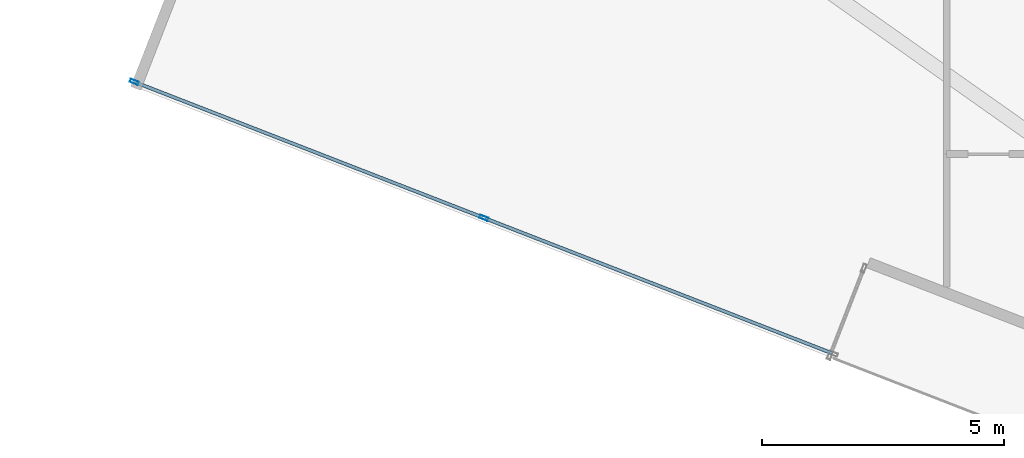
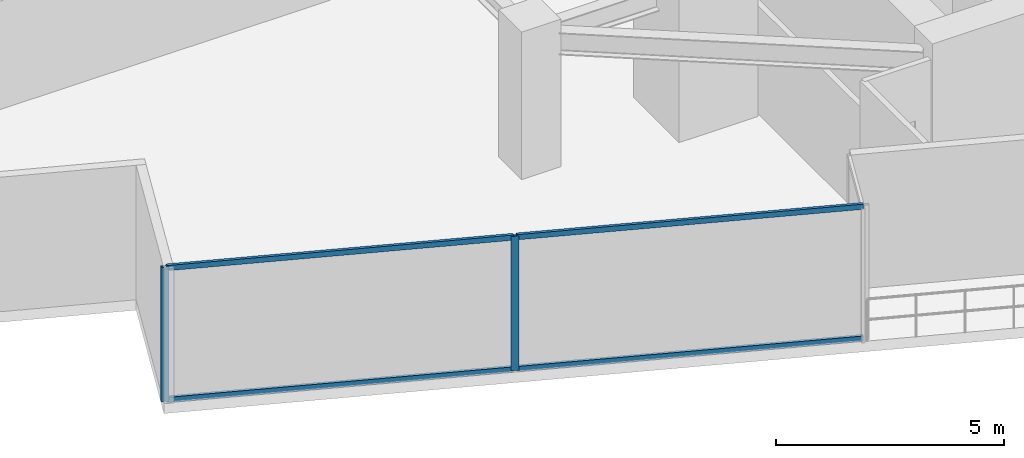
# One storey, part 2 of 26: 6 members, 1 element without a shape of its own.
"""IFC4 building model written with IfcOpenShell, lengths in metres."""

from ifc_helpers import new_model, si_unit, direction, frame, origin, origin_2d, place, context, subcontext, project, spatial, hollow_rectangle, extrude, source, transform, mapped, material, material_profile, profile_set, type_object, type_shapes, element, aggregate, save


model = new_model("IFC4")

# Units and contexts
model_context = context("Model", 3, precision=1e-05, world=origin(), true_north=direction((0.0, 1.0)))
body_context = subcontext(model_context, "Body", "Model", "MODEL_VIEW")
ifc_project = project(units=[si_unit("LENGTHUNIT", "METRE"), si_unit("AREAUNIT", "SQUARE_METRE"), si_unit("VOLUMEUNIT", "CUBIC_METRE"), si_unit("PLANEANGLEUNIT", "RADIAN"), si_unit("MASSUNIT", "GRAM", prefix="KILO")], contexts=[model_context])

# Site, building, storey
site_placement = place(None, origin())
site = spatial("IfcSite", under=ifc_project, at=site_placement, CompositionType="ELEMENT")
building_placement = place(site_placement, origin())
building = spatial("IfcBuilding", under=site, at=building_placement, Name="Krantzveldt Concourse Tower", CompositionType="ELEMENT")
storey_placement = place(building_placement, frame((0.0, 0.0, 137.449951171875)))
storey = spatial("IfcBuildingStorey", under=building, at=storey_placement, Name="L33", CompositionType="ELEMENT", Elevation=137.449951171875)

# Curtain wall, members
ifc_material = material(Name="Anodised aluminium 6063-T6", Category="aluminium")
curtain_wall_type = type_object("IfcCurtainWallType", Name="CW2", PredefinedType="USERDEFINED", material=ifc_material)
curtain_wall_placement = place(storey_placement, origin())
curtain_wall = element("IfcCurtainWall", 1, at=curtain_wall_placement, inside=storey, type_object=curtain_wall_type, Name="CW-L33-F04", ObjectType="UNITISED CURTAIN WALL", PredefinedType="USERDEFINED")
ifc_material_profile_1 = material_profile(ifc_material, hollow_rectangle(XDim=0.070068359375, YDim=0.139892578125, WallThickness=0.0048828125, at=origin_2d()), Name="Anodised aluminium 6063-T6", Category="aluminium")
ifc_profile_set_1 = profile_set([ifc_material_profile_1], Name="Anodised aluminium 6063-T6 - ALU-TRAN 140x70x5")
member_type_1 = type_object("IfcMemberType", Name="CW-TRN-150", PredefinedType="USERDEFINED", material=ifc_profile_set_1)
shared_shape_1 = source(origin(), body_context, "Body", "SweptSolid", [
    extrude(hollow_rectangle(XDim=0.070068359375, YDim=0.139892578125, WallThickness=0.0048828125, at=origin_2d()), origin(), (0.0, 0.0, 1.0), 7.69482421875),
])
member_1_placement = place(storey_placement, frame((16.77294921875, 9.16650390625, 0.03515625), z_axis=(0.932000503501, -0.362456978791, 0.0), x_axis=(0.362456978791, 0.932000503501, 0.0)))
member_1 = element("IfcMember", 2, at=member_1_placement, type_object=member_type_1, Name="CW-Z12 transom 2.1", ObjectType="TRANSOM", PredefinedType="USERDEFINED", context=body_context, shape_type="MappedRepresentation", body=[
    mapped(shared_shape_1, transform((0.0, 0.0, 0.0), x_axis=(1.0, 0.0, 0.0), y_axis=(0.0, 1.0, 0.0), z_axis=(0.0, 0.0, 1.0), scale=1.0)),
])
member_2_placement = place(storey_placement, frame((16.77294921875, 9.16650390625, 3.56494140625), z_axis=(0.932000503501, -0.362456978791, 0.0), x_axis=(0.362456978791, 0.932000503501, 0.0)))
member_2 = element("IfcMember", 3, at=member_2_placement, type_object=member_type_1, Name="CW-Z12 transom 2.2", ObjectType="TRANSOM", PredefinedType="USERDEFINED", context=body_context, shape_type="MappedRepresentation", body=[
    mapped(shared_shape_1, transform((0.0, 0.0, 0.0), x_axis=(1.0, 0.0, 0.0), y_axis=(0.0, 1.0, 0.0), z_axis=(0.0, 0.0, 1.0), scale=1.0)),
])
shared_shape_2 = source(origin(), body_context, "Body", "SweptSolid", [
    extrude(hollow_rectangle(XDim=0.070068359375, YDim=0.139892578125, WallThickness=0.0048828125, at=origin_2d()), origin(), (0.0, 0.0, 1.0), 7.695068359375),
])
type_shapes(member_type_1, [shared_shape_1, shared_shape_2])
member_3_placement = place(storey_placement, frame((9.535888671875, 11.980712890625, 0.03515625), z_axis=(0.9320153886, -0.362418701797, 0.0), x_axis=(0.362418701797, 0.9320153886, 0.0)))
member_3 = element("IfcMember", 4, at=member_3_placement, type_object=member_type_1, Name="CW-Z12 transom 1.1", ObjectType="TRANSOM", PredefinedType="USERDEFINED", context=body_context, shape_type="MappedRepresentation", body=[
    mapped(shared_shape_2, transform((0.0, 0.0, 0.0), x_axis=(1.0, 0.0, 0.0), y_axis=(0.0, 1.0, 0.0), z_axis=(0.0, 0.0, 1.0), scale=1.0)),
])
member_4_placement = place(storey_placement, frame((9.535888671875, 11.980712890625, 3.56494140625), z_axis=(0.9320153886, -0.362418701797, 0.0), x_axis=(0.362418701797, 0.9320153886, 0.0)))
member_4 = element("IfcMember", 5, at=member_4_placement, type_object=member_type_1, Name="CW-Z12 transom 1.2", ObjectType="TRANSOM", PredefinedType="USERDEFINED", context=body_context, shape_type="MappedRepresentation", body=[
    mapped(shared_shape_2, transform((0.0, 0.0, 0.0), x_axis=(1.0, 0.0, 0.0), y_axis=(0.0, 1.0, 0.0), z_axis=(0.0, 0.0, 1.0), scale=1.0)),
])
ifc_material_profile_2 = material_profile(ifc_material, hollow_rectangle(XDim=0.070068359375, YDim=0.179931640625, WallThickness=0.0048828125, at=origin_2d()), Name="Anodised aluminium 6063-T6", Category="aluminium")
ifc_profile_set_2 = profile_set([ifc_material_profile_2], Name="Anodised aluminium 6063-T6 - ALU-MULL 180x70x5")
member_type_2 = type_object("IfcMemberType", Name="CW-MUL-180", PredefinedType="MULLION", material=ifc_profile_set_2)
shared_shape_3 = source(origin(), body_context, "Body", "SweptSolid", [
    extrude(hollow_rectangle(XDim=0.070068359375, YDim=0.179931640625, WallThickness=0.0048828125, at=origin_2d()), origin(), (0.0, 0.0, 1.0), 3.60009765625),
])
type_shapes(member_type_2, [shared_shape_3])
member_5_placement = place(storey_placement, frame((9.503173828125, 11.993408203125, 0.0), z_axis=(0.0, 0.0, 1.0), x_axis=(0.362437908899, 0.932007919598, 0.0)))
member_5 = element("IfcMember", 6, at=member_5_placement, type_object=member_type_2, Name="CW-Z12 mullion 1", PredefinedType="MULLION", context=body_context, shape_type="MappedRepresentation", body=[
    mapped(shared_shape_3, transform((0.0, 0.0, 0.0), x_axis=(1.0, 0.0, 0.0), y_axis=(0.0, 1.0, 0.0), z_axis=(0.0, 0.0, 1.0), scale=1.0)),
])
member_6_placement = place(storey_placement, frame((16.740234375, 9.17919921875, 0.0), z_axis=(0.0, 0.0, 1.0), x_axis=(0.362437908899, 0.932007919598, 0.0)))
member_6 = element("IfcMember", 7, at=member_6_placement, type_object=member_type_2, Name="CW-Z12 mullion 2", PredefinedType="MULLION", context=body_context, shape_type="MappedRepresentation", body=[
    mapped(shared_shape_3, transform((0.0, 0.0, 0.0), x_axis=(1.0, 0.0, 0.0), y_axis=(0.0, 1.0, 0.0), z_axis=(0.0, 0.0, 1.0), scale=1.0)),
])
aggregate(curtain_wall, [member_5, member_6, member_3, member_4, member_1, member_2])

save(model, "model.ifc")
